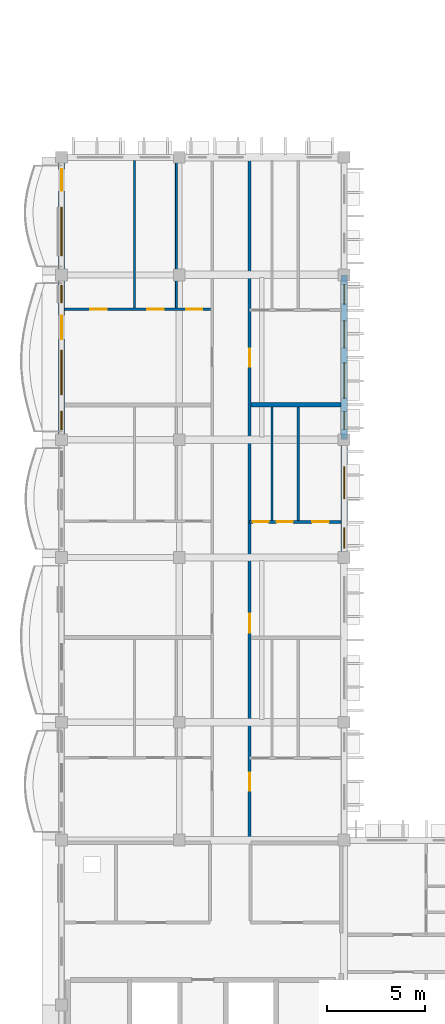
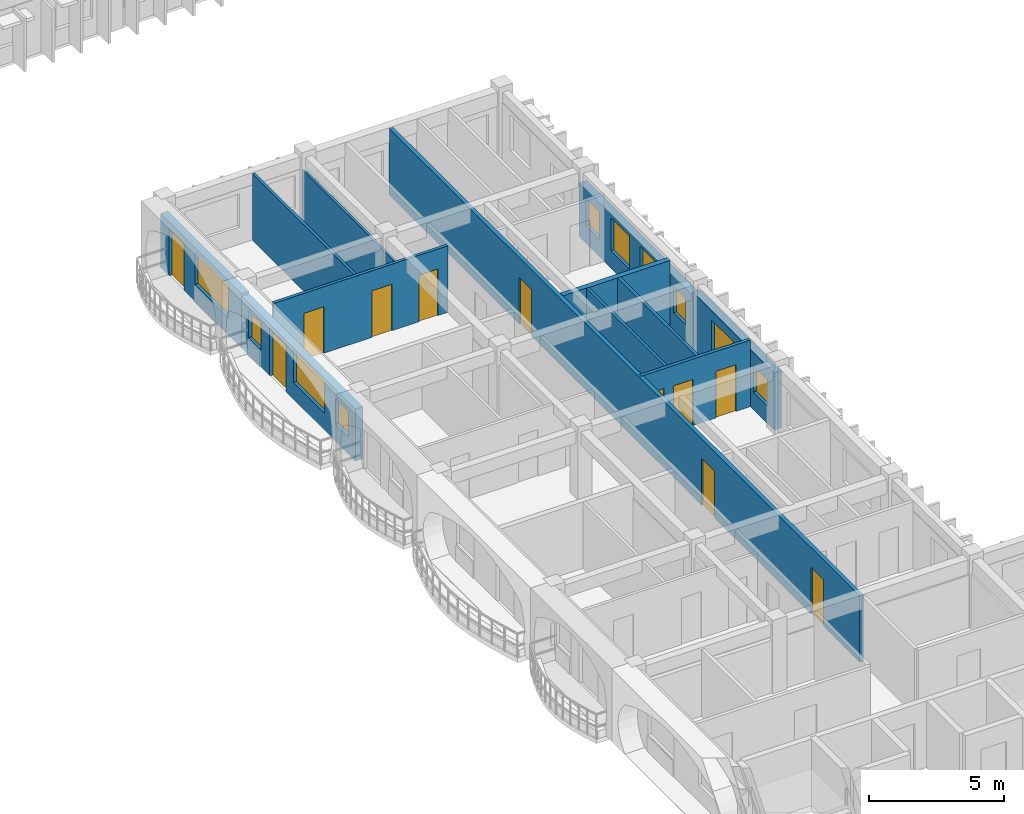
# One storey, part 19 of 70: 12 walls, 11 doors, 10 windows, 21 openings.
"""IFC4 building model written with IfcOpenShell, lengths in metres."""

from ifc_helpers import new_model, si_unit, direction, frame, frame_2d, origin, place, context, subcontext, project, spatial, rectangle, extrude, material, layer, layer_set, type_object, element, fill, save


model = new_model("IFC4")

# Units and contexts
model_context = context("Model", 3, precision=1e-05, world=origin(), true_north=direction((0.0, 1.0)))
body_context = subcontext(model_context, "Body", "Model", "MODEL_VIEW")
ifc_project = project(units=[si_unit("LENGTHUNIT", "METRE"), si_unit("AREAUNIT", "SQUARE_METRE"), si_unit("VOLUMEUNIT", "CUBIC_METRE"), si_unit("PLANEANGLEUNIT", "RADIAN"), si_unit("MASSUNIT", "GRAM", prefix="KILO"), si_unit("THERMODYNAMICTEMPERATUREUNIT", "KELVIN")], contexts=[model_context])

# Site, building, storey
site_placement = place(None, origin())
site = spatial("IfcSite", under=ifc_project, at=site_placement, CompositionType="ELEMENT")
building_placement = place(site_placement, origin())
building = spatial("IfcBuilding", under=site, at=building_placement, Name="Thalorik Housing Commons", CompositionType="ELEMENT")
storey_placement = place(building_placement, frame((0.0, 0.0, 14.699951171875)))
storey = spatial("IfcBuildingStorey", under=building, at=storey_placement, Name="L04", CompositionType="ELEMENT", Elevation=14.699951171875)

# Wall, openings, doors
ifc_material_1 = material(Name="Masonry fire-rated corridor wall", Category="masonry")
ifc_layer_1 = layer(ifc_material_1, 0.1650390625, Name="Masonry fire-rated corridor wall", Category="masonry")
ifc_layer_set_1 = layer_set([ifc_layer_1], Name="Masonry fire-rated corridor wall")
wall_type_1 = type_object("IfcWallType", Name="ARC-WAL-CORR-165", PredefinedType="PARTITIONING", material=ifc_layer_set_1)
wall_1_placement = place(storey_placement, frame((17.97998046875, 22.659912109375, 0.0), z_axis=(0.0, 0.0, 1.0), x_axis=(0.0, 1.0, 0.0)))
wall_1 = element("IfcWall", 1, at=wall_1_placement, inside=storey, type_object=wall_type_1, Name="L04 Block C W Corridor Wall 2", PredefinedType="PARTITIONING", context=body_context, shape_type="SweptSolid", body=[
    extrude(rectangle(XDim=34.778076171875, YDim=0.1650390625, at=frame_2d((17.38916015625, 0.0))), origin(), (0.0, 0.0, 1.0), 3.0),
])
opening_1_placement = place(wall_1_placement, frame((2.663818359375, 0.0, 0.0)))
opening_1 = element("IfcOpeningElement", 2, at=opening_1_placement, cuts=wall_1, Name="Opening ID-1719", PredefinedType="OPENING", context=body_context, shape_type="SweptSolid", body=[
    extrude(rectangle(XDim=0.919921875, YDim=2.10009765625, at=frame_2d((0.4599609375, 1.050048828125))), frame((0.0, 0.092529296875, 0.0), z_axis=(0.0, -1.0, 0.0), x_axis=(1.0, 0.0, 0.0)), (0.0, 0.0, 1.0), 0.18505859375),
])
opening_2_placement = place(wall_1_placement, frame((10.7099609375, 0.0, 0.0)))
opening_2 = element("IfcOpeningElement", 3, at=opening_2_placement, cuts=wall_1, Name="Opening ID-1720", PredefinedType="OPENING", context=body_context, shape_type="SweptSolid", body=[
    extrude(rectangle(XDim=0.9599609375, YDim=2.1201171875, at=frame_2d((0.47998046875, 1.06005859375))), frame((0.0, 0.092529296875, 0.0), z_axis=(0.0, -1.0, 0.0), x_axis=(1.0, 0.0, 0.0)), (0.0, 0.0, 1.0), 0.18505859375),
])
opening_3_placement = place(wall_1_placement, frame((24.25439453125, 0.0, 0.0)))
opening_3 = element("IfcOpeningElement", 4, at=opening_3_placement, cuts=wall_1, Name="Opening ID-1721", PredefinedType="OPENING", context=body_context, shape_type="SweptSolid", body=[
    extrude(rectangle(XDim=0.919921875, YDim=2.10009765625, at=frame_2d((0.4599609375, 1.050048828125))), frame((0.0, 0.092529296875, 0.0), z_axis=(0.0, -1.0, 0.0), x_axis=(1.0, 0.0, 0.0)), (0.0, 0.0, 1.0), 0.18505859375),
])
ifc_material_2 = material(Name="Solid core hardwood timber", Category="wood")
door_type_1 = type_object("IfcDoorType", Name="ARC-DR-FD30-920", OperationType="NOTDEFINED", PredefinedType="DOOR", material=ifc_material_2)
door_1_placement = place(opening_1_placement, origin())
door_1 = element("IfcDoor", 5, at=door_1_placement, inside=storey, type_object=door_type_1, Name="L04 Flat CW-1B Entrance Door", OperationType="SINGLE_SWING_RIGHT", OverallHeight=2.10009765625, OverallWidth=0.919921875, PredefinedType="DOOR", context=body_context, shape_type="SweptSolid", body=[
    extrude(rectangle(XDim=0.919921875, YDim=2.10009765625, at=frame_2d((0.4599609375, 1.050048828125))), frame((0.0, 0.02490234375, 0.0), z_axis=(0.0, -1.0, 0.0), x_axis=(1.0, 0.0, 0.0)), (0.0, 0.0, 1.0), 0.050048828125),
])
fill(opening_1, door_1)
door_2_placement = place(opening_3_placement, origin())
door_2 = element("IfcDoor", 6, at=door_2_placement, inside=storey, type_object=door_type_1, Name="L04 Flat CW-3B Entrance Door", OperationType="SINGLE_SWING_RIGHT", OverallHeight=2.10009765625, OverallWidth=0.919921875, PredefinedType="DOOR", context=body_context, shape_type="SweptSolid", body=[
    extrude(rectangle(XDim=0.919921875, YDim=2.10009765625, at=frame_2d((0.4599609375, 1.050048828125))), frame((0.0, 0.02490234375, 0.0), z_axis=(0.0, -1.0, 0.0), x_axis=(1.0, 0.0, 0.0)), (0.0, 0.0, 1.0), 0.050048828125),
])
fill(opening_3, door_2)
door_type_2 = type_object("IfcDoorType", Name="ARC-DR-FD30-960", OperationType="NOTDEFINED", PredefinedType="DOOR", material=ifc_material_2)
door_3_placement = place(opening_2_placement, origin())
door_3 = element("IfcDoor", 7, at=door_3_placement, inside=storey, type_object=door_type_2, Name="L04 Flat CW-2B Entrance Door", OperationType="SINGLE_SWING_LEFT", OverallHeight=2.1201171875, OverallWidth=0.9599609375, PredefinedType="DOOR", context=body_context, shape_type="SweptSolid", body=[
    extrude(rectangle(XDim=0.9599609375, YDim=2.1201171875, at=frame_2d((0.47998046875, 1.06005859375))), frame((0.0, 0.02490234375, 0.0), z_axis=(0.0, -1.0, 0.0), x_axis=(1.0, 0.0, 0.0)), (0.0, 0.0, 1.0), 0.050048828125),
])
fill(opening_2, door_3)

# Wall, openings, windows
ifc_material_3 = material(Name="White precast concrete C40/50", Category="concrete")
ifc_layer_2 = layer(ifc_material_3, 0.320068359375, Name="White precast concrete C40/50", Category="concrete")
ifc_layer_set_2 = layer_set([ifc_layer_2], Name="White precast concrete C40/50")
wall_type_2 = type_object("IfcWallType", Name="ARC-WAL-EXT-320", PredefinedType="STANDARD", material=ifc_layer_set_2)
wall_2_placement = place(storey_placement, frame((22.800048828125, 37.199951171875, 0.0), z_axis=(0.0, 0.0, 1.0), x_axis=(0.0, 1.0, 0.0)))
wall_2 = element("IfcWall", 8, at=wall_2_placement, inside=storey, type_object=wall_type_2, Name="L04 Exterior Wall WAL-EXT-L04-C-0935", PredefinedType="STANDARD", context=body_context, shape_type="SweptSolid", body=[
    extrude(rectangle(XDim=6.0, YDim=0.320068359375, at=frame_2d((3.0, 0.0))), origin(), (0.0, 0.0, 1.0), 2.574951171875),
])
opening_4_placement = place(wall_2_placement, frame((0.476318359375, 0.0, 0.780029296875)))
opening_4 = element("IfcOpeningElement", 9, at=opening_4_placement, cuts=wall_2, Name="Opening W-44", PredefinedType="OPENING", context=body_context, shape_type="SweptSolid", body=[
    extrude(rectangle(XDim=1.050048828125, YDim=1.199951171875, at=frame_2d((0.52490234375, 0.60009765625))), frame((0.0, 0.169921875, 0.0), z_axis=(0.0, -1.0, 0.0), x_axis=(1.0, 0.0, 0.0)), (0.0, 0.0, 1.0), 0.340087890625),
])
opening_5_placement = place(wall_2_placement, frame((3.00146484375, 0.0, 0.780029296875)))
opening_5 = element("IfcOpeningElement", 10, at=opening_5_placement, cuts=wall_2, Name="Opening W-54", PredefinedType="OPENING", context=body_context, shape_type="SweptSolid", body=[
    extrude(rectangle(XDim=1.6201171875, YDim=1.3798828125, at=frame_2d((0.81005859375, 0.68994140625))), frame((0.0, 0.169921875, 0.0), z_axis=(0.0, -1.0, 0.0), x_axis=(1.0, 0.0, 0.0)), (0.0, 0.0, 1.0), 0.340087890625),
])
ifc_material_4 = material(Name="Anodised aluminium and solar-control low-E glass", Category="aluminium")
window_type_1 = type_object("IfcWindowType", Name="ARC-WIN-44", PartitioningType="SINGLE_PANEL", PredefinedType="WINDOW", material=ifc_material_4)
window_1_placement = place(opening_4_placement, origin())
window_1 = element("IfcWindow", 11, at=window_1_placement, inside=storey, type_object=window_type_1, Name="L04 Facade Window 1724", OverallHeight=1.199951171875, OverallWidth=1.050048828125, PartitioningType="SINGLE_PANEL", PredefinedType="WINDOW", context=body_context, shape_type="SweptSolid", body=[
    extrude(rectangle(XDim=1.050048828125, YDim=1.199951171875, at=frame_2d((0.52490234375, 0.60009765625))), frame((0.0, 0.030029296875, 0.0), z_axis=(0.0, -1.0, 0.0), x_axis=(1.0, 0.0, 0.0)), (0.0, 0.0, 1.0), 0.06005859375),
])
fill(opening_4, window_1)
window_type_2 = type_object("IfcWindowType", Name="ARC-WIN-54", PartitioningType="DOUBLE_PANEL_VERTICAL", PredefinedType="WINDOW", material=ifc_material_4)
window_2_placement = place(opening_5_placement, origin())
window_2 = element("IfcWindow", 12, at=window_2_placement, inside=storey, type_object=window_type_2, Name="L04 Facade Window 1725", OverallHeight=1.3798828125, OverallWidth=1.6201171875, PartitioningType="DOUBLE_PANEL_VERTICAL", PredefinedType="WINDOW", context=body_context, shape_type="SweptSolid", body=[
    extrude(rectangle(XDim=1.6201171875, YDim=1.3798828125, at=frame_2d((0.81005859375, 0.68994140625))), frame((0.0, 0.030029296875, 0.0), z_axis=(0.0, -1.0, 0.0), x_axis=(1.0, 0.0, 0.0)), (0.0, 0.0, 1.0), 0.06005859375),
])
fill(opening_5, window_2)

wall_3_placement = place(storey_placement, frame((22.800048828125, 43.199951171875, 0.0), z_axis=(0.0, 0.0, 1.0), x_axis=(0.0, 1.0, 0.0)))
wall_3 = element("IfcWall", 13, at=wall_3_placement, inside=storey, type_object=wall_type_2, Name="L04 Exterior Wall WAL-EXT-L04-C-0936", PredefinedType="STANDARD", context=body_context, shape_type="SweptSolid", body=[
    extrude(rectangle(XDim=8.400146484375, YDim=0.320068359375, at=frame_2d((4.2001953125, 0.0))), origin(), (0.0, 0.0, 1.0), 2.425048828125),
])
opening_6_placement = place(wall_3_placement, frame((0.534912109375, 0.0, 0.780029296875)))
opening_6 = element("IfcOpeningElement", 14, at=opening_6_placement, cuts=wall_3, Name="Opening W-01", PredefinedType="OPENING", context=body_context, shape_type="SweptSolid", body=[
    extrude(rectangle(XDim=0.89990234375, YDim=1.199951171875, at=frame_2d((0.449951171875, 0.60009765625))), frame((0.0, 0.169921875, 0.0), z_axis=(0.0, -1.0, 0.0), x_axis=(1.0, 0.0, 0.0)), (0.0, 0.0, 1.0), 0.340087890625),
])
opening_7_placement = place(wall_3_placement, frame((2.122314453125, 0.0, 0.780029296875)))
opening_7 = element("IfcOpeningElement", 15, at=opening_7_placement, cuts=wall_3, Name="Opening W-18", PredefinedType="OPENING", context=body_context, shape_type="SweptSolid", body=[
    extrude(rectangle(XDim=1.800048828125, YDim=1.5, at=frame_2d((0.89990234375, 0.75))), frame((0.0, 0.169921875, 0.0), z_axis=(0.0, -1.0, 0.0), x_axis=(1.0, 0.0, 0.0)), (0.0, 0.0, 1.0), 0.340087890625),
])
opening_8_placement = place(wall_3_placement, frame((4.676513671875, 0.0, 0.780029296875)))
opening_8 = element("IfcOpeningElement", 16, at=opening_8_placement, cuts=wall_3, Name="Opening W-49", PredefinedType="OPENING", context=body_context, shape_type="SweptSolid", body=[
    extrude(rectangle(XDim=1.3798828125, YDim=1.47998046875, at=frame_2d((0.68994140625, 0.739990234375))), frame((0.0, 0.169921875, 0.0), z_axis=(0.0, -1.0, 0.0), x_axis=(1.0, 0.0, 0.0)), (0.0, 0.0, 1.0), 0.340087890625),
])
opening_9_placement = place(wall_3_placement, frame((6.909423828125, 0.0, 0.780029296875)))
opening_9 = element("IfcOpeningElement", 17, at=opening_9_placement, cuts=wall_3, Name="Opening W-02", PredefinedType="OPENING", context=body_context, shape_type="SweptSolid", body=[
    extrude(rectangle(XDim=1.0, YDim=1.25, at=frame_2d((0.5, 0.625))), frame((0.0, 0.169921875, 0.0), z_axis=(0.0, -1.0, 0.0), x_axis=(1.0, 0.0, 0.0)), (0.0, 0.0, 1.0), 0.340087890625),
])
window_type_3 = type_object("IfcWindowType", Name="ARC-WIN-01", PartitioningType="SINGLE_PANEL", PredefinedType="WINDOW", material=ifc_material_4)
window_3_placement = place(opening_6_placement, origin())
window_3 = element("IfcWindow", 18, at=window_3_placement, inside=storey, type_object=window_type_3, Name="L04 Facade Window 1726", OverallHeight=1.199951171875, OverallWidth=0.89990234375, PartitioningType="SINGLE_PANEL", PredefinedType="WINDOW", context=body_context, shape_type="SweptSolid", body=[
    extrude(rectangle(XDim=0.89990234375, YDim=1.199951171875, at=frame_2d((0.449951171875, 0.60009765625))), frame((0.0, 0.030029296875, 0.0), z_axis=(0.0, -1.0, 0.0), x_axis=(1.0, 0.0, 0.0)), (0.0, 0.0, 1.0), 0.06005859375),
])
fill(opening_6, window_3)
window_type_4 = type_object("IfcWindowType", Name="ARC-WIN-02", PartitioningType="SINGLE_PANEL", PredefinedType="WINDOW", material=ifc_material_4)
window_4_placement = place(opening_9_placement, origin())
window_4 = element("IfcWindow", 19, at=window_4_placement, inside=storey, type_object=window_type_4, Name="L04 Facade Window 1729", OverallHeight=1.25, OverallWidth=1.0, PartitioningType="SINGLE_PANEL", PredefinedType="WINDOW", context=body_context, shape_type="SweptSolid", body=[
    extrude(rectangle(XDim=1.0, YDim=1.25, at=frame_2d((0.5, 0.625))), frame((0.0, 0.030029296875, 0.0), z_axis=(0.0, -1.0, 0.0), x_axis=(1.0, 0.0, 0.0)), (0.0, 0.0, 1.0), 0.06005859375),
])
fill(opening_9, window_4)
window_type_5 = type_object("IfcWindowType", Name="ARC-WIN-18", PartitioningType="DOUBLE_PANEL_VERTICAL", PredefinedType="WINDOW", material=ifc_material_4)
window_5_placement = place(opening_7_placement, origin())
window_5 = element("IfcWindow", 20, at=window_5_placement, inside=storey, type_object=window_type_5, Name="L04 Facade Window 1727", OverallHeight=1.5, OverallWidth=1.800048828125, PartitioningType="DOUBLE_PANEL_VERTICAL", PredefinedType="WINDOW", context=body_context, shape_type="SweptSolid", body=[
    extrude(rectangle(XDim=1.800048828125, YDim=1.5, at=frame_2d((0.89990234375, 0.75))), frame((0.0, 0.030029296875, 0.0), z_axis=(0.0, -1.0, 0.0), x_axis=(1.0, 0.0, 0.0)), (0.0, 0.0, 1.0), 0.06005859375),
])
fill(opening_7, window_5)
window_type_6 = type_object("IfcWindowType", Name="ARC-WIN-49", PartitioningType="SINGLE_PANEL", PredefinedType="WINDOW", material=ifc_material_4)
window_6_placement = place(opening_8_placement, origin())
window_6 = element("IfcWindow", 21, at=window_6_placement, inside=storey, type_object=window_type_6, Name="L04 Facade Window 1728", OverallHeight=1.47998046875, OverallWidth=1.3798828125, PartitioningType="SINGLE_PANEL", PredefinedType="WINDOW", context=body_context, shape_type="SweptSolid", body=[
    extrude(rectangle(XDim=1.3798828125, YDim=1.47998046875, at=frame_2d((0.68994140625, 0.739990234375))), frame((0.0, 0.030029296875, 0.0), z_axis=(0.0, -1.0, 0.0), x_axis=(1.0, 0.0, 0.0)), (0.0, 0.0, 1.0), 0.06005859375),
])
fill(opening_8, window_6)

# Wall, openings, door, window
wall_4_placement = place(storey_placement, frame((8.39990234375, 57.60009765625, 0.0), z_axis=(0.0, 0.0, 1.0), x_axis=(0.0, -1.0, 0.0)))
wall_4 = element("IfcWall", 22, at=wall_4_placement, inside=storey, type_object=wall_type_2, Name="L04 Exterior Wall WAL-EXT-L04-C-0940", PredefinedType="STANDARD", context=body_context, shape_type="SweptSolid", body=[
    extrude(rectangle(XDim=6.0, YDim=0.320068359375, at=frame_2d((3.0, 0.0))), origin(), (0.0, 0.0, 1.0), 2.445068359375),
])
opening_10_placement = place(wall_4_placement, frame((0.6201171875, 0.0, 0.0)))
opening_10 = element("IfcOpeningElement", 23, at=opening_10_placement, cuts=wall_4, Name="Opening ED-0308", PredefinedType="OPENING", context=body_context, shape_type="SweptSolid", body=[
    extrude(rectangle(XDim=1.10009765625, YDim=2.14990234375, at=frame_2d((0.550048828125, 1.074951171875))), frame((0.0, 0.169921875, 0.0), z_axis=(0.0, -1.0, 0.0), x_axis=(1.0, 0.0, 0.0)), (0.0, 0.0, 1.0), 0.340087890625),
])
opening_11_placement = place(wall_4_placement, frame((2.550048828125, 0.0, 0.780029296875)))
opening_11 = element("IfcOpeningElement", 24, at=opening_11_placement, cuts=wall_4, Name="Opening W-71", PredefinedType="OPENING", context=body_context, shape_type="SweptSolid", body=[
    extrude(rectangle(XDim=2.47998046875, YDim=1.4599609375, at=frame_2d((1.239990234375, 0.72998046875))), frame((0.0, 0.169921875, 0.0), z_axis=(0.0, -1.0, 0.0), x_axis=(1.0, 0.0, 0.0)), (0.0, 0.0, 1.0), 0.340087890625),
])
ifc_material_5 = material(Name="Anodised aluminium and laminated safety glass", Category="aluminium")
door_type_3 = type_object("IfcDoorType", Name="ARC-DR-BAL-1100", OperationType="NOTDEFINED", PredefinedType="DOOR", material=ifc_material_5)
door_4_placement = place(opening_10_placement, frame((1.10009765625, 0.0, 0.0), z_axis=(0.0, 0.0, 1.0), x_axis=(-1.0, 0.0, 0.0)))
door_4 = element("IfcDoor", 25, at=door_4_placement, inside=storey, type_object=door_type_3, Name="L04 Block C Balcony Glazed Door", OperationType="SINGLE_SWING_LEFT", OverallHeight=2.14990234375, OverallWidth=1.10009765625, PredefinedType="DOOR", context=body_context, shape_type="SweptSolid", body=[
    extrude(rectangle(XDim=1.10009765625, YDim=2.14990234375, at=frame_2d((0.550048828125, 1.074951171875))), frame((0.0, 0.02490234375, 0.0), z_axis=(0.0, -1.0, 0.0), x_axis=(1.0, 0.0, 0.0)), (0.0, 0.0, 1.0), 0.050048828125),
])
fill(opening_10, door_4)
window_type_7 = type_object("IfcWindowType", Name="ARC-WIN-71", PartitioningType="DOUBLE_PANEL_VERTICAL", PredefinedType="WINDOW", material=ifc_material_4)
window_7_placement = place(opening_11_placement, origin())
window_7 = element("IfcWindow", 26, at=window_7_placement, inside=storey, type_object=window_type_7, Name="L04 Facade Window 1737", OverallHeight=1.4599609375, OverallWidth=2.47998046875, PartitioningType="DOUBLE_PANEL_VERTICAL", PredefinedType="WINDOW", context=body_context, shape_type="SweptSolid", body=[
    extrude(rectangle(XDim=2.47998046875, YDim=1.4599609375, at=frame_2d((1.239990234375, 0.72998046875))), frame((0.0, 0.030029296875, 0.0), z_axis=(0.0, -1.0, 0.0), x_axis=(1.0, 0.0, 0.0)), (0.0, 0.0, 1.0), 0.06005859375),
])
fill(opening_11, window_7)

# Wall, openings, door, windows
wall_5_placement = place(storey_placement, frame((8.39990234375, 51.60009765625, 0.0), z_axis=(0.0, 0.0, 1.0), x_axis=(0.0, -1.0, 0.0)))
wall_5 = element("IfcWall", 27, at=wall_5_placement, inside=storey, type_object=wall_type_2, Name="L04 Exterior Wall WAL-EXT-L04-C-0941", PredefinedType="STANDARD", context=body_context, shape_type="SweptSolid", body=[
    extrude(rectangle(XDim=8.400146484375, YDim=0.320068359375, at=frame_2d((4.2001953125, 0.0))), origin(), (0.0, 0.0, 1.0), 2.344970703125),
])
opening_12_placement = place(wall_5_placement, frame((2.070068359375, 0.0, 0.0)))
opening_12 = element("IfcOpeningElement", 28, at=opening_12_placement, cuts=wall_5, Name="Opening ED-0309", PredefinedType="OPENING", context=body_context, shape_type="SweptSolid", body=[
    extrude(rectangle(XDim=1.199951171875, YDim=2.14990234375, at=frame_2d((0.60009765625, 1.074951171875))), frame((0.0, 0.169921875, 0.0), z_axis=(0.0, -1.0, 0.0), x_axis=(1.0, 0.0, 0.0)), (0.0, 0.0, 1.0), 0.340087890625),
])
opening_13_placement = place(wall_5_placement, frame((0.514892578125, 0.0, 0.780029296875)))
opening_13 = element("IfcOpeningElement", 29, at=opening_13_placement, cuts=wall_5, Name="Opening W-01", PredefinedType="OPENING", context=body_context, shape_type="SweptSolid", body=[
    extrude(rectangle(XDim=0.89990234375, YDim=1.199951171875, at=frame_2d((0.449951171875, 0.60009765625))), frame((0.0, 0.169921875, 0.0), z_axis=(0.0, -1.0, 0.0), x_axis=(1.0, 0.0, 0.0)), (0.0, 0.0, 1.0), 0.340087890625),
])
opening_14_placement = place(wall_5_placement, frame((3.830078125, 0.0, 0.780029296875)))
opening_14 = element("IfcOpeningElement", 30, at=opening_14_placement, cuts=wall_5, Name="Opening W-67", PredefinedType="OPENING", context=body_context, shape_type="SweptSolid", body=[
    extrude(rectangle(XDim=2.280029296875, YDim=1.4599609375, at=frame_2d((1.14013671875, 0.72998046875))), frame((0.0, 0.169921875, 0.0), z_axis=(0.0, -1.0, 0.0), x_axis=(1.0, 0.0, 0.0)), (0.0, 0.0, 1.0), 0.340087890625),
])
opening_15_placement = place(wall_5_placement, frame((6.93994140625, 0.0, 0.780029296875)))
opening_15 = element("IfcOpeningElement", 31, at=opening_15_placement, cuts=wall_5, Name="Opening W-43", PredefinedType="OPENING", context=body_context, shape_type="SweptSolid", body=[
    extrude(rectangle(XDim=0.949951171875, YDim=1.14990234375, at=frame_2d((0.47509765625, 0.574951171875))), frame((0.0, 0.169921875, 0.0), z_axis=(0.0, -1.0, 0.0), x_axis=(1.0, 0.0, 0.0)), (0.0, 0.0, 1.0), 0.340087890625),
])
door_type_4 = type_object("IfcDoorType", Name="ARC-DR-BAL-1200", OperationType="NOTDEFINED", PredefinedType="DOOR", material=ifc_material_5)
door_5_placement = place(opening_12_placement, frame((1.199951171875, 0.0, 0.0), z_axis=(0.0, 0.0, 1.0), x_axis=(-1.0, 0.0, 0.0)))
door_5 = element("IfcDoor", 32, at=door_5_placement, inside=storey, type_object=door_type_4, Name="L04 Block C Balcony Glazed Door", OperationType="SINGLE_SWING_RIGHT", OverallHeight=2.14990234375, OverallWidth=1.199951171875, PredefinedType="DOOR", context=body_context, shape_type="SweptSolid", body=[
    extrude(rectangle(XDim=1.199951171875, YDim=2.14990234375, at=frame_2d((0.60009765625, 1.074951171875))), frame((0.0, 0.02490234375, 0.0), z_axis=(0.0, -1.0, 0.0), x_axis=(1.0, 0.0, 0.0)), (0.0, 0.0, 1.0), 0.050048828125),
])
fill(opening_12, door_5)
window_8_placement = place(opening_13_placement, origin())
window_8 = element("IfcWindow", 33, at=window_8_placement, inside=storey, type_object=window_type_3, Name="L04 Facade Window 1738", OverallHeight=1.199951171875, OverallWidth=0.89990234375, PartitioningType="SINGLE_PANEL", PredefinedType="WINDOW", context=body_context, shape_type="SweptSolid", body=[
    extrude(rectangle(XDim=0.89990234375, YDim=1.199951171875, at=frame_2d((0.449951171875, 0.60009765625))), frame((0.0, 0.030029296875, 0.0), z_axis=(0.0, -1.0, 0.0), x_axis=(1.0, 0.0, 0.0)), (0.0, 0.0, 1.0), 0.06005859375),
])
fill(opening_13, window_8)
window_type_8 = type_object("IfcWindowType", Name="ARC-WIN-43", PartitioningType="SINGLE_PANEL", PredefinedType="WINDOW", material=ifc_material_4)
window_9_placement = place(opening_15_placement, origin())
window_9 = element("IfcWindow", 34, at=window_9_placement, inside=storey, type_object=window_type_8, Name="L04 Facade Window 1740", OverallHeight=1.14990234375, OverallWidth=0.949951171875, PartitioningType="SINGLE_PANEL", PredefinedType="WINDOW", context=body_context, shape_type="SweptSolid", body=[
    extrude(rectangle(XDim=0.949951171875, YDim=1.14990234375, at=frame_2d((0.47509765625, 0.574951171875))), frame((0.0, 0.030029296875, 0.0), z_axis=(0.0, -1.0, 0.0), x_axis=(1.0, 0.0, 0.0)), (0.0, 0.0, 1.0), 0.06005859375),
])
fill(opening_15, window_9)
window_type_9 = type_object("IfcWindowType", Name="ARC-WIN-67", PartitioningType="DOUBLE_PANEL_VERTICAL", PredefinedType="WINDOW", material=ifc_material_4)
window_10_placement = place(opening_14_placement, origin())
window_10 = element("IfcWindow", 35, at=window_10_placement, inside=storey, type_object=window_type_9, Name="L04 Facade Window 1739", OverallHeight=1.4599609375, OverallWidth=2.280029296875, PartitioningType="DOUBLE_PANEL_VERTICAL", PredefinedType="WINDOW", context=body_context, shape_type="SweptSolid", body=[
    extrude(rectangle(XDim=2.280029296875, YDim=1.4599609375, at=frame_2d((1.14013671875, 0.72998046875))), frame((0.0, 0.030029296875, 0.0), z_axis=(0.0, -1.0, 0.0), x_axis=(1.0, 0.0, 0.0)), (0.0, 0.0, 1.0), 0.06005859375),
])
fill(opening_14, window_10)

# Walls
ifc_material_6 = material(Name="Gypsum light stud partition", Category="masonry")
ifc_layer_3 = layer(ifc_material_6, 0.10009765625, Name="Gypsum light stud partition", Category="masonry")
ifc_layer_set_3 = layer_set([ifc_layer_3], Name="Gypsum light stud partition")
wall_type_3 = type_object("IfcWallType", Name="ARC-WAL-PART-100", PredefinedType="PARTITIONING", material=ifc_layer_set_3)
wall_6_placement = place(storey_placement, frame((14.251220703125, 49.924560546875, 0.0), z_axis=(0.0, 0.0, 1.0), x_axis=(0.0, 1.0, 0.0)))
element("IfcWall", 36, at=wall_6_placement, inside=storey, type_object=wall_type_3, Name="L04 Unit 3 Wet Wall", PredefinedType="PARTITIONING", context=body_context, shape_type="SweptSolid", body=[
    extrude(rectangle(XDim=7.513427734375, YDim=0.10009765625, at=frame_2d((3.7568359375, 0.0))), origin(), (0.0, 0.0, 1.0), 2.425048828125),
])
ifc_material_7 = material(Name="Gypsum moisture-resistant partition", Category="masonry")
ifc_layer_4 = layer(ifc_material_7, 0.114990234375, Name="Gypsum moisture-resistant partition", Category="masonry")
ifc_layer_set_4 = layer_set([ifc_layer_4], Name="Gypsum moisture-resistant partition")
wall_type_4 = type_object("IfcWallType", Name="ARC-WAL-PART-115", PredefinedType="PARTITIONING", material=ifc_layer_set_4)
wall_7_placement = place(storey_placement, frame((19.122314453125, 39.084716796875, 0.0), z_axis=(0.0, 0.0, 1.0), x_axis=(0.0, 1.0, 0.0)))
element("IfcWall", 37, at=wall_7_placement, inside=storey, type_object=wall_type_4, Name="L04 Unit 2B Wet Wall", PredefinedType="PARTITIONING", context=body_context, shape_type="SweptSolid", body=[
    extrude(rectangle(XDim=5.783203125, YDim=0.114990234375, at=frame_2d((2.8916015625, 0.0))), origin(), (0.0, 0.0, 1.0), 3.0),
])
wall_8_placement = place(storey_placement, frame((12.11767578125, 49.924560546875, 0.0), z_axis=(0.0, 0.0, 1.0), x_axis=(0.0, 1.0, 0.0)))
element("IfcWall", 38, at=wall_8_placement, inside=storey, type_object=wall_type_4, Name="L04 Unit 3 Bedroom Partition", PredefinedType="PARTITIONING", context=body_context, shape_type="SweptSolid", body=[
    extrude(rectangle(XDim=7.513427734375, YDim=0.114990234375, at=frame_2d((3.7568359375, 0.0))), origin(), (0.0, 0.0, 1.0), 3.0),
])
ifc_material_8 = material(Name="Gypsum acoustic stud partition", Category="masonry")
ifc_layer_5 = layer(ifc_material_8, 0.125, Name="Gypsum acoustic stud partition", Category="masonry")
ifc_layer_set_5 = layer_set([ifc_layer_5], Name="Gypsum acoustic stud partition")
wall_type_5 = type_object("IfcWallType", Name="ARC-WAL-PART-125", PredefinedType="PARTITIONING", material=ifc_layer_set_5)
wall_9_placement = place(storey_placement, frame((20.455078125, 39.084716796875, 0.0), z_axis=(0.0, 0.0, 1.0), x_axis=(0.0, 1.0, 0.0)))
element("IfcWall", 39, at=wall_9_placement, inside=storey, type_object=wall_type_5, Name="L04 Unit 2B Bedroom Partition", PredefinedType="PARTITIONING", context=body_context, shape_type="SweptSolid", body=[
    extrude(rectangle(XDim=5.783203125, YDim=0.125, at=frame_2d((2.8916015625, 0.0))), origin(), (0.0, 0.0, 1.0), 3.0),
])

# Wall, openings, doors
wall_10_placement = place(storey_placement, frame((8.56201171875, 49.860107421875, 0.0), z_axis=(0.0, 0.0, 1.0), x_axis=(1.0, 0.0, 0.0)))
wall_10 = element("IfcWall", 40, at=wall_10_placement, inside=storey, type_object=wall_type_5, Name="L04 Unit 3 Spine Partition", PredefinedType="PARTITIONING", context=body_context, shape_type="SweptSolid", body=[
    extrude(rectangle(XDim=7.44091796875, YDim=0.125, at=frame_2d((3.720458984375, 0.0))), origin(), (0.0, 0.0, 1.0), 3.0),
])
opening_16_placement = place(wall_10_placement, frame((1.3017578125, 0.0, 0.0)))
opening_16 = element("IfcOpeningElement", 41, at=opening_16_placement, cuts=wall_10, Name="Opening ID-1710", PredefinedType="OPENING", context=body_context, shape_type="SweptSolid", body=[
    extrude(rectangle(XDim=0.85009765625, YDim=2.10009765625, at=frame_2d((0.425048828125, 1.050048828125))), frame((0.0, 0.072509765625, 0.0), z_axis=(0.0, -1.0, 0.0), x_axis=(1.0, 0.0, 0.0)), (0.0, 0.0, 1.0), 0.14501953125),
])
opening_17_placement = place(wall_10_placement, frame((4.197509765625, 0.0, 0.0)))
opening_17 = element("IfcOpeningElement", 42, at=opening_17_placement, cuts=wall_10, Name="Opening ID-1711", PredefinedType="OPENING", context=body_context, shape_type="SweptSolid", body=[
    extrude(rectangle(XDim=0.85009765625, YDim=2.10009765625, at=frame_2d((0.425048828125, 1.050048828125))), frame((0.0, 0.072509765625, 0.0), z_axis=(0.0, -1.0, 0.0), x_axis=(1.0, 0.0, 0.0)), (0.0, 0.0, 1.0), 0.14501953125),
])
opening_18_placement = place(wall_10_placement, frame((6.20361328125, 0.0, 0.0)))
opening_18 = element("IfcOpeningElement", 43, at=opening_18_placement, cuts=wall_10, Name="Opening ID-1712", PredefinedType="OPENING", context=body_context, shape_type="SweptSolid", body=[
    extrude(rectangle(XDim=0.800048828125, YDim=2.10009765625, at=frame_2d((0.39990234375, 1.050048828125))), frame((0.0, 0.072509765625, 0.0), z_axis=(0.0, -1.0, 0.0), x_axis=(1.0, 0.0, 0.0)), (0.0, 0.0, 1.0), 0.14501953125),
])
ifc_material_9 = material(Name="Moisture-resistant timber", Category="wood")
door_type_5 = type_object("IfcDoorType", Name="ARC-DR-INT-800", OperationType="NOTDEFINED", PredefinedType="DOOR", material=ifc_material_9)
door_6_placement = place(opening_18_placement, origin())
door_6 = element("IfcDoor", 44, at=door_6_placement, inside=storey, type_object=door_type_5, Name="L04 Flat Bathroom Door", OperationType="SINGLE_SWING_LEFT", OverallHeight=2.10009765625, OverallWidth=0.800048828125, PredefinedType="DOOR", context=body_context, shape_type="SweptSolid", body=[
    extrude(rectangle(XDim=0.800048828125, YDim=2.10009765625, at=frame_2d((0.39990234375, 1.050048828125))), frame((0.0, 0.02490234375, 0.0), z_axis=(0.0, -1.0, 0.0), x_axis=(1.0, 0.0, 0.0)), (0.0, 0.0, 1.0), 0.050048828125),
])
fill(opening_18, door_6)
ifc_material_10 = material(Name="Engineered oak timber", Category="wood")
door_type_6 = type_object("IfcDoorType", Name="ARC-DR-INT-850", OperationType="NOTDEFINED", PredefinedType="DOOR", material=ifc_material_10)
door_7_placement = place(opening_16_placement, origin())
door_7 = element("IfcDoor", 45, at=door_7_placement, inside=storey, type_object=door_type_6, Name="L04 Master Bedroom Door", OperationType="SINGLE_SWING_LEFT", OverallHeight=2.10009765625, OverallWidth=0.85009765625, PredefinedType="DOOR", context=body_context, shape_type="SweptSolid", body=[
    extrude(rectangle(XDim=0.85009765625, YDim=2.10009765625, at=frame_2d((0.425048828125, 1.050048828125))), frame((0.0, 0.02490234375, 0.0), z_axis=(0.0, -1.0, 0.0), x_axis=(1.0, 0.0, 0.0)), (0.0, 0.0, 1.0), 0.050048828125),
])
fill(opening_16, door_7)
door_8_placement = place(opening_17_placement, origin())
door_8 = element("IfcDoor", 46, at=door_8_placement, inside=storey, type_object=door_type_6, Name="L04 Eat-In Kitchen Door", OperationType="SINGLE_SWING_RIGHT", OverallHeight=2.10009765625, OverallWidth=0.85009765625, PredefinedType="DOOR", context=body_context, shape_type="SweptSolid", body=[
    extrude(rectangle(XDim=0.85009765625, YDim=2.10009765625, at=frame_2d((0.425048828125, 1.050048828125))), frame((0.0, 0.02490234375, 0.0), z_axis=(0.0, -1.0, 0.0), x_axis=(1.0, 0.0, 0.0)), (0.0, 0.0, 1.0), 0.050048828125),
])
fill(opening_17, door_8)

ifc_material_11 = material(Name="Ceramic masonry partition wall", Category="masonry")
ifc_layer_6 = layer(ifc_material_11, 0.139892578125, Name="Ceramic masonry partition wall", Category="masonry")
ifc_layer_set_6 = layer_set([ifc_layer_6], Name="Ceramic masonry partition wall")
wall_type_6 = type_object("IfcWallType", Name="ARC-WAL-PART-140", PredefinedType="PARTITIONING", material=ifc_layer_set_6)
wall_11_placement = place(storey_placement, frame((17.97998046875, 39.0126953125, 0.0), z_axis=(0.0, 0.0, 1.0), x_axis=(1.0, 0.0, 0.0)))
wall_11 = element("IfcWall", 47, at=wall_11_placement, inside=storey, type_object=wall_type_6, Name="L04 Unit 2B Spine Partition", PredefinedType="PARTITIONING", context=body_context, shape_type="SweptSolid", body=[
    extrude(rectangle(XDim=4.657958984375, YDim=0.139892578125, at=frame_2d((2.3291015625, 0.0))), origin(), (0.0, 0.0, 1.0), 3.0),
])
opening_19_placement = place(wall_11_placement, frame((0.171142578125, 0.0, 0.0)))
opening_19 = element("IfcOpeningElement", 48, at=opening_19_placement, cuts=wall_11, Name="Opening ID-1707", PredefinedType="OPENING", context=body_context, shape_type="SweptSolid", body=[
    extrude(rectangle(XDim=0.800048828125, YDim=2.10009765625, at=frame_2d((0.39990234375, 1.050048828125))), frame((0.0, 0.080078125, 0.0), z_axis=(0.0, -1.0, 0.0), x_axis=(1.0, 0.0, 0.0)), (0.0, 0.0, 1.0), 0.159912109375),
])
opening_20_placement = place(wall_11_placement, frame((1.3837890625, 0.0, 0.0)))
opening_20 = element("IfcOpeningElement", 49, at=opening_20_placement, cuts=wall_11, Name="Opening ID-1708", PredefinedType="OPENING", context=body_context, shape_type="SweptSolid", body=[
    extrude(rectangle(XDim=0.820068359375, YDim=2.080078125, at=frame_2d((0.41015625, 1.0400390625))), frame((0.0, 0.080078125, 0.0), z_axis=(0.0, -1.0, 0.0), x_axis=(1.0, 0.0, 0.0)), (0.0, 0.0, 1.0), 0.159912109375),
])
opening_21_placement = place(wall_11_placement, frame((3.192626953125, 0.0, 0.0)))
opening_21 = element("IfcOpeningElement", 50, at=opening_21_placement, cuts=wall_11, Name="Opening ID-1709", PredefinedType="OPENING", context=body_context, shape_type="SweptSolid", body=[
    extrude(rectangle(XDim=0.85009765625, YDim=2.10009765625, at=frame_2d((0.425048828125, 1.050048828125))), frame((0.0, 0.080078125, 0.0), z_axis=(0.0, -1.0, 0.0), x_axis=(1.0, 0.0, 0.0)), (0.0, 0.0, 1.0), 0.159912109375),
])
door_9_placement = place(opening_19_placement, origin())
door_9 = element("IfcDoor", 51, at=door_9_placement, inside=storey, type_object=door_type_5, Name="L04 Accessible Bathroom Door", OperationType="SINGLE_SWING_RIGHT", OverallHeight=2.10009765625, OverallWidth=0.800048828125, PredefinedType="DOOR", context=body_context, shape_type="SweptSolid", body=[
    extrude(rectangle(XDim=0.800048828125, YDim=2.10009765625, at=frame_2d((0.39990234375, 1.050048828125))), frame((0.0, 0.02490234375, 0.0), z_axis=(0.0, -1.0, 0.0), x_axis=(1.0, 0.0, 0.0)), (0.0, 0.0, 1.0), 0.050048828125),
])
fill(opening_19, door_9)
door_type_7 = type_object("IfcDoorType", Name="ARC-DR-INT-820", OperationType="NOTDEFINED", PredefinedType="DOOR", material=ifc_material_10)
door_10_placement = place(opening_20_placement, origin())
door_10 = element("IfcDoor", 52, at=door_10_placement, inside=storey, type_object=door_type_7, Name="L04 Eat-In Kitchen Door", OperationType="SINGLE_SWING_LEFT", OverallHeight=2.080078125, OverallWidth=0.820068359375, PredefinedType="DOOR", context=body_context, shape_type="SweptSolid", body=[
    extrude(rectangle(XDim=0.820068359375, YDim=2.080078125, at=frame_2d((0.41015625, 1.0400390625))), frame((0.0, 0.02490234375, 0.0), z_axis=(0.0, -1.0, 0.0), x_axis=(1.0, 0.0, 0.0)), (0.0, 0.0, 1.0), 0.050048828125),
])
fill(opening_20, door_10)
door_11_placement = place(opening_21_placement, origin())
door_11 = element("IfcDoor", 53, at=door_11_placement, inside=storey, type_object=door_type_6, Name="L04 Double Bedroom Door", OperationType="SINGLE_SWING_RIGHT", OverallHeight=2.10009765625, OverallWidth=0.85009765625, PredefinedType="DOOR", context=body_context, shape_type="SweptSolid", body=[
    extrude(rectangle(XDim=0.85009765625, YDim=2.10009765625, at=frame_2d((0.425048828125, 1.050048828125))), frame((0.0, 0.02490234375, 0.0), z_axis=(0.0, -1.0, 0.0), x_axis=(1.0, 0.0, 0.0)), (0.0, 0.0, 1.0), 0.050048828125),
])
fill(opening_21, door_11)

# Wall
ifc_material_12 = material(Name="Precast concrete C40/50 acoustic wall", Category="concrete")
ifc_layer_7 = layer(ifc_material_12, 0.219970703125, Name="Precast concrete C40/50 acoustic wall", Category="concrete")
ifc_layer_set_7 = layer_set([ifc_layer_7], Name="Precast concrete C40/50 acoustic wall")
wall_type_7 = type_object("IfcWallType", Name="ARC-WAL-PARTY-220", PredefinedType="PARTITIONING", material=ifc_layer_set_7)
wall_12_placement = place(storey_placement, frame((18.064453125, 44.97998046875, 0.0), z_axis=(0.0, 0.0, 1.0), x_axis=(1.0, 0.0, 0.0)))
element("IfcWall", 54, at=wall_12_placement, inside=storey, type_object=wall_type_7, Name="L04 Inter-Tenancy Wall 2B", PredefinedType="PARTITIONING", context=body_context, shape_type="SweptSolid", body=[
    extrude(rectangle(XDim=4.573486328125, YDim=0.219970703125, at=frame_2d((2.28662109375, 0.0))), origin(), (0.0, 0.0, 1.0), 3.0),
])

save(model, "model.ifc")
